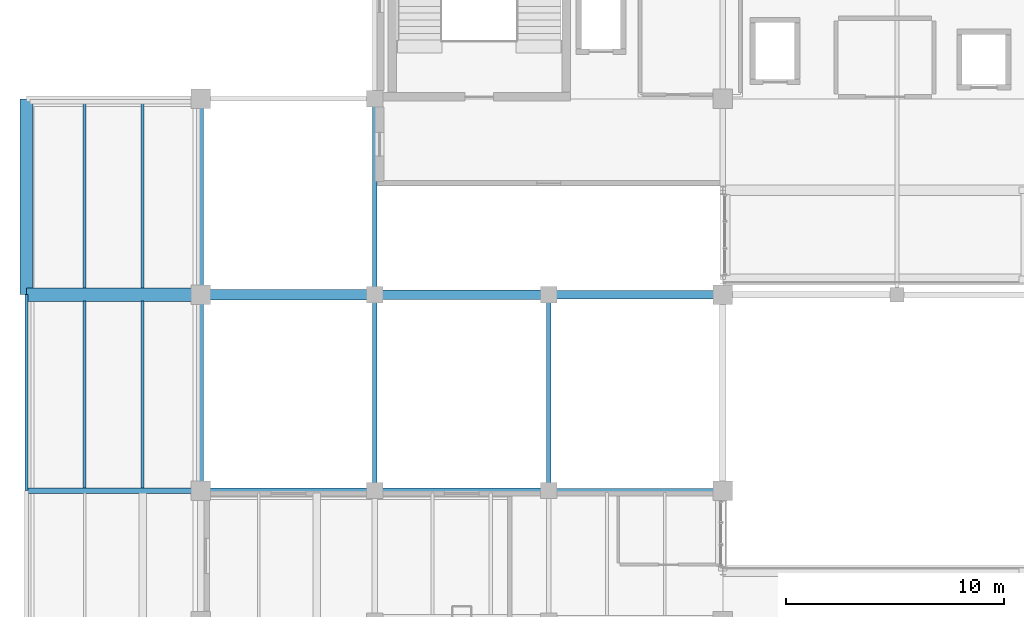
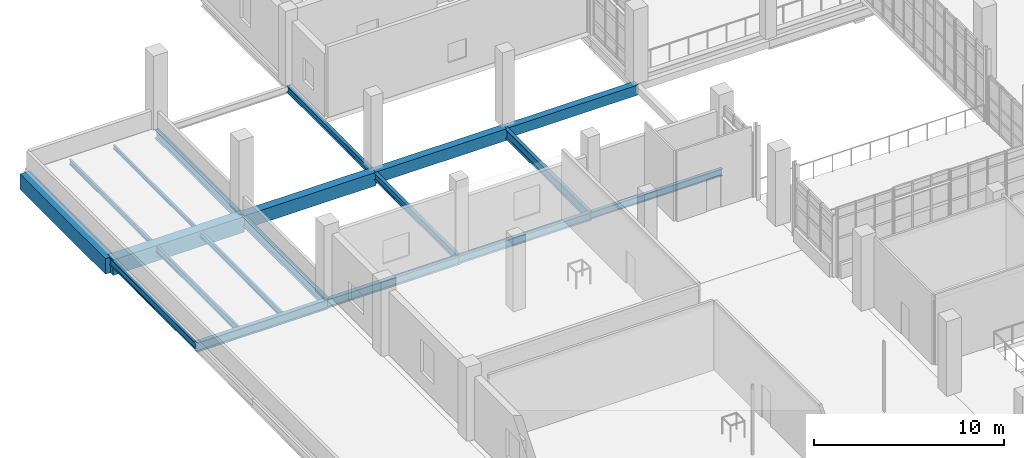
# One storey, part 29 of 127: 19 beams.
"""IFC4 building model written with IfcOpenShell, lengths in metres."""

from ifc_helpers import new_model, si_unit, derived_unit, direction, frame, origin, origin_2d, place, context, subcontext, project, spatial, rectangle, i_section, extrude, material, material_profile, profile_set, type_object, element, save


model = new_model("IFC4")

# Units and contexts
model_context = context("Model", 3, precision=1e-05, world=origin(), true_north=direction((0.0, 1.0)))
body_context = subcontext(model_context, "Body", "Model", "MODEL_VIEW")
ifc_project = project(units=[si_unit("LENGTHUNIT", "METRE"), si_unit("AREAUNIT", "SQUARE_METRE"), si_unit("VOLUMEUNIT", "CUBIC_METRE"), si_unit("PLANEANGLEUNIT", "RADIAN"), si_unit("MASSUNIT", "GRAM", prefix="KILO"), derived_unit("THERMALTRANSMITTANCEUNIT", [(si_unit("POWERUNIT", "WATT"), 1), (si_unit("LENGTHUNIT", "METRE"), -2), (si_unit("THERMODYNAMICTEMPERATUREUNIT", "KELVIN"), -1)])], contexts=[model_context])

# Site, building, storey
site_placement = place(None, origin())
site = spatial("IfcSite", under=ifc_project, at=site_placement, CompositionType="ELEMENT")
building_placement = place(site_placement, origin())
building = spatial("IfcBuilding", under=site, at=building_placement, Name="Nallur Shell Playhouse", CompositionType="ELEMENT")
storey_placement = place(building_placement, frame((0.0, 0.0, 5.39990234375)))
storey = spatial("IfcBuildingStorey", under=building, at=storey_placement, Name="L02", CompositionType="ELEMENT", Elevation=5.39990234375)

# Beams
ifc_material_1 = material(Name="Steel E250", Category="steel")
ifc_material_profile_1 = material_profile(ifc_material_1, i_section(OverallWidth=0.125, OverallDepth=0.25, WebThickness=0.0068359375, FlangeThickness=0.012451171875, FilletRadius=0.012939453125, at=origin_2d()), Name="ISMB 250")
ifc_profile_set_1 = profile_set([ifc_material_profile_1], Name="Steel E250")
beam_type_1 = type_object("IfcBeamType", Name="BM-JST-ISMB250", PredefinedType="JOIST", material=ifc_profile_set_1)
beam_1_placement = place(storey_placement, frame((13.333251953125, 65.298095703125, -0.40478515625), z_axis=(0.0, 1.0, 0.0), x_axis=(-1.0, 0.0, 0.0)))
element("IfcBeam", 1, at=beam_1_placement, inside=storey, type_object=beam_type_1, Name="L02 secondary joist 1-H-484", PredefinedType="JOIST", context=body_context, shape_type="SweptSolid", body=[
    extrude(i_section(OverallWidth=0.125, OverallDepth=0.25, WebThickness=0.0068359375, FlangeThickness=0.012451171875, FilletRadius=0.012939453125, at=origin_2d()), origin(), (0.0, 0.0, 1.0), 8.578857421875),
])
ifc_material_profile_2 = material_profile(ifc_material_1, i_section(OverallWidth=0.139892578125, OverallDepth=0.300048828125, WebThickness=0.0078125, FlangeThickness=0.01318359375, FilletRadius=0.013916015625, at=origin_2d()), Name="ISMB 300")
ifc_profile_set_2 = profile_set([ifc_material_profile_2], Name="Steel E250")
beam_type_2 = type_object("IfcBeamType", Name="BM-JST-ISMB300", PredefinedType="JOIST", material=ifc_profile_set_2)
beam_2_placement = place(storey_placement, frame((10.666748046875, 65.298095703125, -0.429931640625), z_axis=(0.0, 1.0, 0.0), x_axis=(-1.0, 0.0, 0.0)))
element("IfcBeam", 2, at=beam_2_placement, inside=storey, type_object=beam_type_2, Name="L02 secondary joist 1-H-483", PredefinedType="JOIST", context=body_context, shape_type="SweptSolid", body=[
    extrude(i_section(OverallWidth=0.139892578125, OverallDepth=0.300048828125, WebThickness=0.0078125, FlangeThickness=0.01318359375, FilletRadius=0.013916015625, at=origin_2d()), origin(), (0.0, 0.0, 1.0), 8.578857421875),
])
ifc_material_profile_3 = material_profile(ifc_material_1, i_section(OverallWidth=0.139892578125, OverallDepth=0.35009765625, WebThickness=0.008056640625, FlangeThickness=0.01416015625, FilletRadius=0.013916015625, at=origin_2d()), Name="ISMB 350")
ifc_profile_set_3 = profile_set([ifc_material_profile_3], Name="Steel E250")
beam_type_3 = type_object("IfcBeamType", Name="BM-JST-ISMB350", PredefinedType="JOIST", material=ifc_profile_set_3)
beam_3_placement = place(storey_placement, frame((13.333251953125, 56.123046875, -0.454833984375), z_axis=(0.0, 1.0, 0.0), x_axis=(-1.0, 0.0, 0.0)))
element("IfcBeam", 3, at=beam_3_placement, inside=storey, type_object=beam_type_3, Name="L02 secondary joist 1-G-482", PredefinedType="JOIST", context=body_context, shape_type="SweptSolid", body=[
    extrude(i_section(OverallWidth=0.139892578125, OverallDepth=0.35009765625, WebThickness=0.008056640625, FlangeThickness=0.01416015625, FilletRadius=0.013916015625, at=origin_2d()), origin(), (0.0, 0.0, 1.0), 8.578857421875),
])
ifc_material_profile_4 = material_profile(ifc_material_1, i_section(OverallWidth=0.139892578125, OverallDepth=0.39990234375, WebThickness=0.0087890625, FlangeThickness=0.01611328125, FilletRadius=0.013916015625, at=origin_2d()), Name="ISMB 400")
ifc_profile_set_4 = profile_set([ifc_material_profile_4], Name="Steel E250")
beam_type_4 = type_object("IfcBeamType", Name="BM-JST-ISMB400", PredefinedType="JOIST", material=ifc_profile_set_4)
beam_4_placement = place(storey_placement, frame((10.666748046875, 56.123046875, -0.47998046875), z_axis=(0.0, 1.0, 0.0), x_axis=(-1.0, 0.0, 0.0)))
element("IfcBeam", 4, at=beam_4_placement, inside=storey, type_object=beam_type_4, Name="L02 secondary joist 1-G-481", PredefinedType="JOIST", context=body_context, shape_type="SweptSolid", body=[
    extrude(i_section(OverallWidth=0.139892578125, OverallDepth=0.39990234375, WebThickness=0.0087890625, FlangeThickness=0.01611328125, FilletRadius=0.013916015625, at=origin_2d()), origin(), (0.0, 0.0, 1.0), 8.578857421875),
])
ifc_material_2 = material(Name="Concrete M35", Category="concrete")
ifc_material_profile_5 = material_profile(ifc_material_2, rectangle(XDim=0.39990234375, YDim=0.64990234375, at=origin_2d()), Name="RC 400x650")
ifc_profile_set_5 = profile_set([ifc_material_profile_5], Name="Concrete M35")
beam_type_5 = type_object("IfcBeamType", Name="BM-RC-400x650", PredefinedType="BEAM", material=ifc_profile_set_5)
beam_5_placement = place(storey_placement, frame((32.0, 65.0, -0.60498046875), z_axis=(1.0, 0.0, 0.0), x_axis=(0.0, 1.0, 0.0)))
element("IfcBeam", 5, at=beam_5_placement, inside=storey, type_object=beam_type_5, Name="L02 girder X-H-367", PredefinedType="BEAM", context=body_context, shape_type="SweptSolid", body=[
    extrude(rectangle(XDim=0.39990234375, YDim=0.64990234375, at=origin_2d()), origin(), (0.0, 0.0, 1.0), 8.0),
])
ifc_material_profile_6 = material_profile(ifc_material_2, rectangle(XDim=0.449951171875, YDim=0.75, at=origin_2d()), Name="RC 450x750")
ifc_profile_set_6 = profile_set([ifc_material_profile_6], Name="Concrete M35")
beam_type_6 = type_object("IfcBeamType", Name="BM-RC-450x750", PredefinedType="BEAM", material=ifc_profile_set_6)
beam_6_placement = place(storey_placement, frame((24.0, 65.0, -0.65478515625), z_axis=(1.0, 0.0, 0.0), x_axis=(0.0, 1.0, 0.0)))
element("IfcBeam", 6, at=beam_6_placement, inside=storey, type_object=beam_type_6, Name="L02 girder X-H-366", PredefinedType="BEAM", context=body_context, shape_type="SweptSolid", body=[
    extrude(rectangle(XDim=0.449951171875, YDim=0.75, at=origin_2d()), origin(), (0.0, 0.0, 1.0), 8.0),
])
ifc_material_3 = material(Name="Concrete M40", Category="concrete")
ifc_material_profile_7 = material_profile(ifc_material_3, rectangle(XDim=0.5, YDim=0.85009765625, at=origin_2d()), Name="RC 500x850")
ifc_profile_set_7 = profile_set([ifc_material_profile_7], Name="Concrete M40")
beam_type_7 = type_object("IfcBeamType", Name="BM-RC-500x850", PredefinedType="BEAM", material=ifc_profile_set_7)
beam_7_placement = place(storey_placement, frame((16.0, 65.0, -0.704833984375), z_axis=(1.0, 0.0, 0.0), x_axis=(0.0, 1.0, 0.0)))
element("IfcBeam", 7, at=beam_7_placement, inside=storey, type_object=beam_type_7, Name="L02 girder X-H-365", PredefinedType="BEAM", context=body_context, shape_type="SweptSolid", body=[
    extrude(rectangle(XDim=0.5, YDim=0.85009765625, at=origin_2d()), origin(), (0.0, 0.0, 1.0), 8.0),
])
ifc_material_profile_8 = material_profile(ifc_material_3, rectangle(XDim=0.60009765625, YDim=1.0, at=origin_2d()), Name="RC 600x1000")
ifc_profile_set_8 = profile_set([ifc_material_profile_8], Name="Concrete M40")
beam_type_8 = type_object("IfcBeamType", Name="BM-RC-600x1000", PredefinedType="BEAM", material=ifc_profile_set_8)
beam_8_placement = place(storey_placement, frame((8.0, 65.0, -0.77978515625), z_axis=(1.0, 0.0, 0.0), x_axis=(0.0, 1.0, 0.0)))
element("IfcBeam", 8, at=beam_8_placement, inside=storey, type_object=beam_type_8, Name="L02 girder X-H-364", PredefinedType="BEAM", context=body_context, shape_type="SweptSolid", body=[
    extrude(rectangle(XDim=0.60009765625, YDim=1.0, at=origin_2d()), origin(), (0.0, 0.0, 1.0), 8.0),
])
beam_9_placement = place(storey_placement, frame((8.0, 65.0, -0.77978515625), z_axis=(0.0, 1.0, 0.0), x_axis=(-1.0, 0.0, 0.0)))
element("IfcBeam", 9, at=beam_9_placement, inside=storey, type_object=beam_type_8, Name="L02 girder Y-1-396", PredefinedType="BEAM", context=body_context, shape_type="SweptSolid", body=[
    extrude(rectangle(XDim=0.60009765625, YDim=1.0, at=origin_2d()), origin(), (0.0, 0.0, 1.0), 9.0),
])
ifc_material_4 = material(Name="Steel E350", Category="steel")
ifc_material_profile_9 = material_profile(ifc_material_4, i_section(OverallWidth=0.14990234375, OverallDepth=0.449951171875, WebThickness=0.009521484375, FlangeThickness=0.017333984375, FilletRadius=0.014892578125, at=origin_2d()), Name="ISMB 450")
ifc_profile_set_9 = profile_set([ifc_material_profile_9], Name="Steel E350")
beam_type_9 = type_object("IfcBeamType", Name="BM-ST-ISMB450", PredefinedType="BEAM", material=ifc_profile_set_9)
beam_10_placement = place(storey_placement, frame((8.0, 56.0, -0.5048828125), z_axis=(0.0, 1.0, 0.0), x_axis=(-1.0, 0.0, 0.0)))
element("IfcBeam", 10, at=beam_10_placement, inside=storey, type_object=beam_type_9, Name="L02 girder Y-1-395", PredefinedType="BEAM", context=body_context, shape_type="SweptSolid", body=[
    extrude(i_section(OverallWidth=0.14990234375, OverallDepth=0.449951171875, WebThickness=0.009521484375, FlangeThickness=0.017333984375, FilletRadius=0.014892578125, at=origin_2d()), origin(), (0.0, 0.0, 1.0), 9.0),
])
ifc_material_profile_10 = material_profile(ifc_material_4, i_section(OverallWidth=0.2099609375, OverallDepth=0.60009765625, WebThickness=0.011962890625, FlangeThickness=0.020751953125, FilletRadius=0.02001953125, at=origin_2d()), Name="ISMB 600")
ifc_profile_set_10 = profile_set([ifc_material_profile_10], Name="Steel E350")
beam_type_10 = type_object("IfcBeamType", Name="BM-ST-ISMB600", PredefinedType="BEAM", material=ifc_profile_set_10)
beam_11_placement = place(storey_placement, frame((32.0, 56.0, -0.579833984375), z_axis=(0.0, 1.0, 0.0), x_axis=(-1.0, 0.0, 0.0)))
element("IfcBeam", 11, at=beam_11_placement, inside=storey, type_object=beam_type_10, Name="L02 girder Y-4-408", PredefinedType="BEAM", context=body_context, shape_type="SweptSolid", body=[
    extrude(i_section(OverallWidth=0.2099609375, OverallDepth=0.60009765625, WebThickness=0.011962890625, FlangeThickness=0.020751953125, FilletRadius=0.02001953125, at=origin_2d()), origin(), (0.0, 0.0, 1.0), 9.0),
])
ifc_material_profile_11 = material_profile(ifc_material_4, i_section(OverallWidth=0.199951171875, OverallDepth=0.39990234375, WebThickness=0.008544921875, FlangeThickness=0.012939453125, FilletRadius=0.012939453125, at=origin_2d()), Name="ISWB 400")
ifc_profile_set_11 = profile_set([ifc_material_profile_11], Name="Steel E350")
beam_type_11 = type_object("IfcBeamType", Name="BM-ST-ISWB400", PredefinedType="BEAM", material=ifc_profile_set_11)
beam_12_placement = place(storey_placement, frame((24.0, 65.0, -0.47998046875), z_axis=(0.0, 1.0, 0.0), x_axis=(-1.0, 0.0, 0.0)))
element("IfcBeam", 12, at=beam_12_placement, inside=storey, type_object=beam_type_11, Name="L02 girder Y-3-405", PredefinedType="BEAM", context=body_context, shape_type="SweptSolid", body=[
    extrude(i_section(OverallWidth=0.199951171875, OverallDepth=0.39990234375, WebThickness=0.008544921875, FlangeThickness=0.012939453125, FilletRadius=0.012939453125, at=origin_2d()), origin(), (0.0, 0.0, 1.0), 9.0),
])
ifc_material_profile_12 = material_profile(ifc_material_4, i_section(OverallWidth=0.199951171875, OverallDepth=0.449951171875, WebThickness=0.00927734375, FlangeThickness=0.015380859375, FilletRadius=0.013916015625, at=origin_2d()), Name="ISWB 450")
ifc_profile_set_12 = profile_set([ifc_material_profile_12], Name="Steel E350")
beam_type_12 = type_object("IfcBeamType", Name="BM-ST-ISWB450", PredefinedType="BEAM", material=ifc_profile_set_12)
beam_13_placement = place(storey_placement, frame((32.0, 56.0, -0.5048828125), z_axis=(1.0, 0.0, 0.0), x_axis=(0.0, 1.0, 0.0)))
element("IfcBeam", 13, at=beam_13_placement, inside=storey, type_object=beam_type_12, Name="L02 girder X-G-356", PredefinedType="BEAM", context=body_context, shape_type="SweptSolid", body=[
    extrude(i_section(OverallWidth=0.199951171875, OverallDepth=0.449951171875, WebThickness=0.00927734375, FlangeThickness=0.015380859375, FilletRadius=0.013916015625, at=origin_2d()), origin(), (0.0, 0.0, 1.0), 8.0),
])
beam_14_placement = place(storey_placement, frame((24.0, 56.0, -0.5048828125), z_axis=(0.0, 1.0, 0.0), x_axis=(-1.0, 0.0, 0.0)))
element("IfcBeam", 14, at=beam_14_placement, inside=storey, type_object=beam_type_12, Name="L02 girder Y-3-404", PredefinedType="BEAM", context=body_context, shape_type="SweptSolid", body=[
    extrude(i_section(OverallWidth=0.199951171875, OverallDepth=0.449951171875, WebThickness=0.00927734375, FlangeThickness=0.015380859375, FilletRadius=0.013916015625, at=origin_2d()), origin(), (0.0, 0.0, 1.0), 9.0),
])
ifc_material_profile_13 = material_profile(ifc_material_4, i_section(OverallWidth=0.25, OverallDepth=0.5, WebThickness=0.010009765625, FlangeThickness=0.0146484375, FilletRadius=0.014892578125, at=origin_2d()), Name="ISWB 500")
ifc_profile_set_13 = profile_set([ifc_material_profile_13], Name="Steel E350")
beam_type_13 = type_object("IfcBeamType", Name="BM-ST-ISWB500", PredefinedType="BEAM", material=ifc_profile_set_13)
beam_15_placement = place(storey_placement, frame((24.0, 56.0, -0.52978515625), z_axis=(1.0, 0.0, 0.0), x_axis=(0.0, 1.0, 0.0)))
element("IfcBeam", 15, at=beam_15_placement, inside=storey, type_object=beam_type_13, Name="L02 girder X-G-355", PredefinedType="BEAM", context=body_context, shape_type="SweptSolid", body=[
    extrude(i_section(OverallWidth=0.25, OverallDepth=0.5, WebThickness=0.010009765625, FlangeThickness=0.0146484375, FilletRadius=0.014892578125, at=origin_2d()), origin(), (0.0, 0.0, 1.0), 8.0),
])
ifc_material_profile_14 = material_profile(ifc_material_4, i_section(OverallWidth=0.25, OverallDepth=0.550048828125, WebThickness=0.010498046875, FlangeThickness=0.017578125, FilletRadius=0.01611328125, at=origin_2d()), Name="ISWB 550")
ifc_profile_set_14 = profile_set([ifc_material_profile_14], Name="Steel E350")
beam_type_14 = type_object("IfcBeamType", Name="BM-ST-ISWB550", PredefinedType="BEAM", material=ifc_profile_set_14)
beam_16_placement = place(storey_placement, frame((16.0, 56.0, -0.554931640625), z_axis=(1.0, 0.0, 0.0), x_axis=(0.0, 1.0, 0.0)))
element("IfcBeam", 16, at=beam_16_placement, inside=storey, type_object=beam_type_14, Name="L02 girder X-G-354", PredefinedType="BEAM", context=body_context, shape_type="SweptSolid", body=[
    extrude(i_section(OverallWidth=0.25, OverallDepth=0.550048828125, WebThickness=0.010498046875, FlangeThickness=0.017578125, FilletRadius=0.01611328125, at=origin_2d()), origin(), (0.0, 0.0, 1.0), 8.0),
])
beam_17_placement = place(storey_placement, frame((16.0, 65.0, -0.554931640625), z_axis=(0.0, 1.0, 0.0), x_axis=(-1.0, 0.0, 0.0)))
element("IfcBeam", 17, at=beam_17_placement, inside=storey, type_object=beam_type_14, Name="L02 girder Y-2-402", PredefinedType="BEAM", context=body_context, shape_type="SweptSolid", body=[
    extrude(i_section(OverallWidth=0.25, OverallDepth=0.550048828125, WebThickness=0.010498046875, FlangeThickness=0.017578125, FilletRadius=0.01611328125, at=origin_2d()), origin(), (0.0, 0.0, 1.0), 9.0),
])
ifc_material_profile_15 = material_profile(ifc_material_4, i_section(OverallWidth=0.25, OverallDepth=0.60009765625, WebThickness=0.01171875, FlangeThickness=0.023681640625, FilletRadius=0.01708984375, at=origin_2d()), Name="ISWB 600")
ifc_profile_set_15 = profile_set([ifc_material_profile_15], Name="Steel E350")
beam_type_15 = type_object("IfcBeamType", Name="BM-ST-ISWB600", PredefinedType="BEAM", material=ifc_profile_set_15)
beam_18_placement = place(storey_placement, frame((8.0, 56.0, -0.579833984375), z_axis=(1.0, 0.0, 0.0), x_axis=(0.0, 1.0, 0.0)))
element("IfcBeam", 18, at=beam_18_placement, inside=storey, type_object=beam_type_15, Name="L02 girder X-G-353", PredefinedType="BEAM", context=body_context, shape_type="SweptSolid", body=[
    extrude(i_section(OverallWidth=0.25, OverallDepth=0.60009765625, WebThickness=0.01171875, FlangeThickness=0.023681640625, FilletRadius=0.01708984375, at=origin_2d()), origin(), (0.0, 0.0, 1.0), 8.0),
])
beam_19_placement = place(storey_placement, frame((16.0, 56.0, -0.579833984375), z_axis=(0.0, 1.0, 0.0), x_axis=(-1.0, 0.0, 0.0)))
element("IfcBeam", 19, at=beam_19_placement, inside=storey, type_object=beam_type_15, Name="L02 girder Y-2-401", PredefinedType="BEAM", context=body_context, shape_type="SweptSolid", body=[
    extrude(i_section(OverallWidth=0.25, OverallDepth=0.60009765625, WebThickness=0.01171875, FlangeThickness=0.023681640625, FilletRadius=0.01708984375, at=origin_2d()), origin(), (0.0, 0.0, 1.0), 9.0),
])

save(model, "model.ifc")
